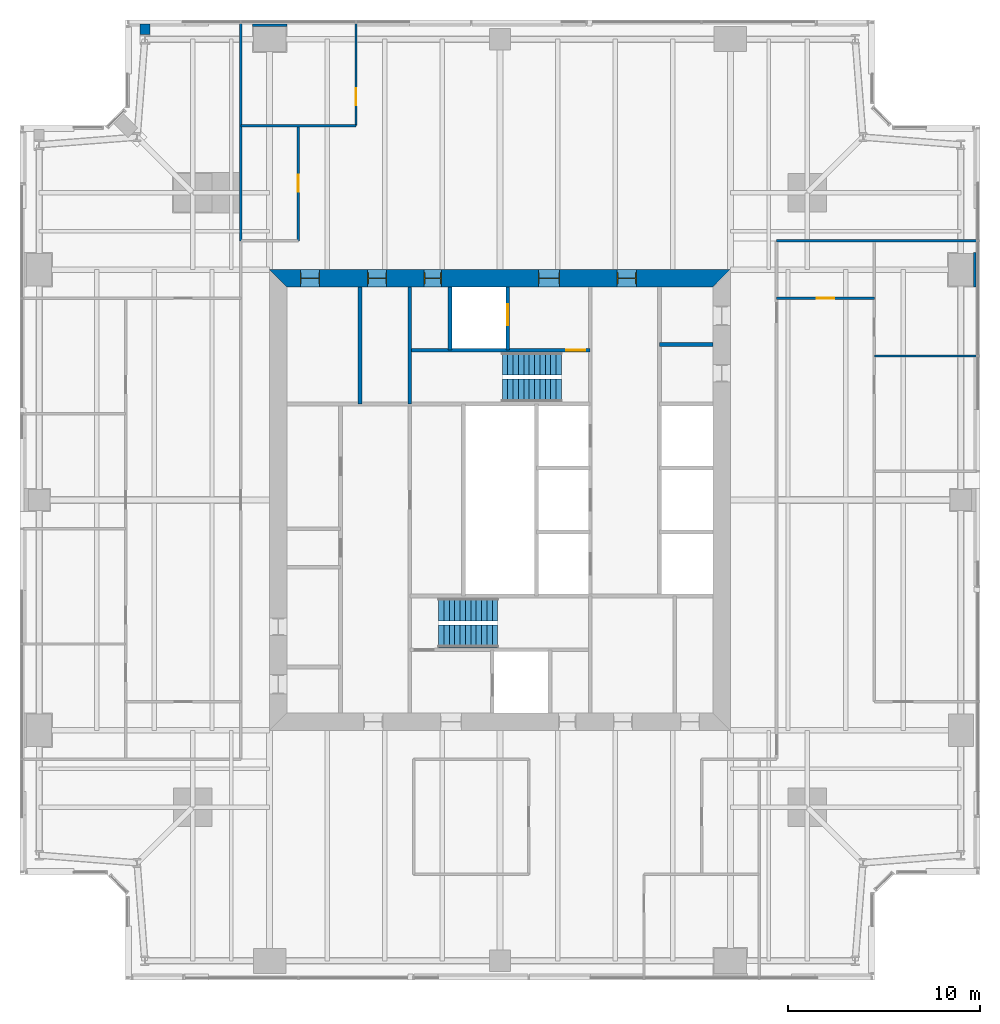
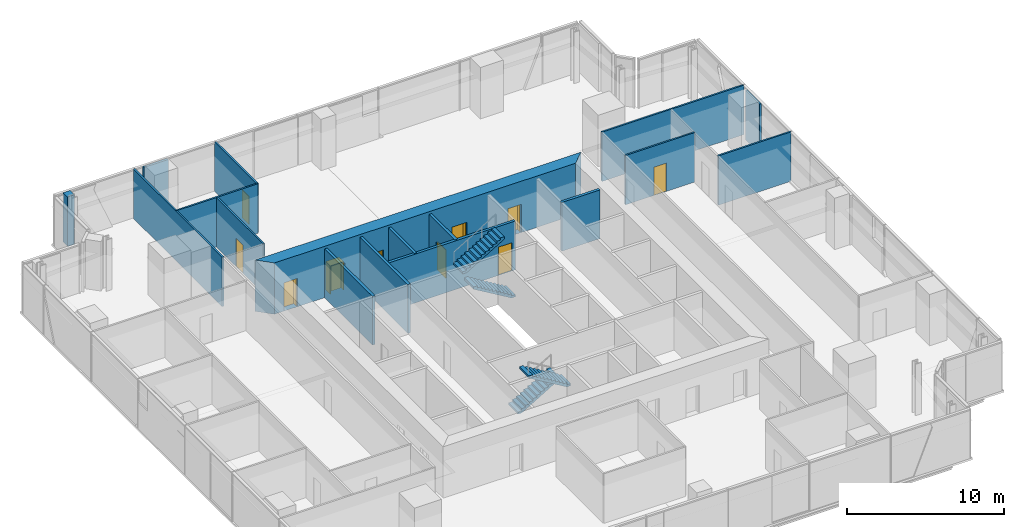
# One storey, part 11 of 16: 17 walls, 10 doors, 4 stair flights, 10 openings, 2 elements without a shape of their own.
"""IFC4 building model written with IfcOpenShell, lengths in metres."""

from ifc_helpers import new_model, si_unit, direction, frame, frame_2d, origin, place, context, subcontext, project, spatial, polyline, rectangle, outline, extrude, material, layer, layer_set, type_object, element, fill, aggregate, save


model = new_model("IFC4")

# Units and contexts
model_context = context("Model", 3, precision=1e-05, world=origin(), true_north=direction((0.0, 1.0)))
body_context = subcontext(model_context, "Body", "Model", "MODEL_VIEW")
ifc_project = project(units=[si_unit("LENGTHUNIT", "METRE"), si_unit("AREAUNIT", "SQUARE_METRE"), si_unit("VOLUMEUNIT", "CUBIC_METRE"), si_unit("PLANEANGLEUNIT", "RADIAN"), si_unit("MASSUNIT", "GRAM", prefix="KILO")], contexts=[model_context])

# Site, building, storey
site_placement = place(None, origin())
site = spatial("IfcSite", under=ifc_project, at=site_placement, CompositionType="ELEMENT")
building_placement = place(site_placement, origin())
building = spatial("IfcBuilding", under=site, at=building_placement, Name="Fenwick Lantern Interchange", CompositionType="ELEMENT")
storey_placement = place(building_placement, frame((0.0, 0.0, 213.800048828125)))
storey = spatial("IfcBuildingStorey", under=building, at=storey_placement, Name="L50", CompositionType="ELEMENT", Elevation=213.800048828125)

# Walls
ifc_material_1 = material(Name="Fire-rated gypsum board encasement on steel studs, 2 hour", Category="steel")
ifc_layer_1 = layer(ifc_material_1, 1.800048828125)
ifc_layer_set_1 = layer_set([ifc_layer_1], Name="COLUMN PIER 1800")
wall_type_1 = type_object("IfcWallType", Name="COLUMN PIER 1800", PredefinedType="PARTITIONING", material=ifc_layer_set_1)
for number, where, z_axis, x_axis, name in (
    (1, (49.800048828125, 37.0, 0.0), (0.0, 0.0, 1.0), (-1.0, 0.0, 0.0), "L50/W/PIER/CE4"),
    (2, (13.0, 49.800048828125, 0.0), (0.0, 0.0, 1.0), (0.0, -1.0, 0.0), "L50/W/PIER/CN4"),
):
    element("IfcWall", number, at=place(storey_placement, frame(where, z_axis=z_axis, x_axis=x_axis)), inside=storey, type_object=wall_type_1, Name=name, PredefinedType="PARTITIONING", context=body_context, shape_type="SweptSolid", body=[
        extrude(rectangle(XDim=0.150146484375, YDim=1.800048828125, at=frame_2d((0.0751953125, 0.0))), origin(), (0.0, 0.0, 1.0), 3.849853515625),
    ])
ifc_layer_2 = layer(ifc_material_1, 0.52392578125)
ifc_layer_set_2 = layer_set([ifc_layer_2], Name="COLUMN PIER 524")
wall_type_2 = type_object("IfcWallType", Name="COLUMN PIER 524", PredefinedType="PARTITIONING", material=ifc_layer_set_2)
wall_1_placement = place(storey_placement, frame((6.5, 49.800048828125, 0.0), z_axis=(0.0, 0.0, 1.0), x_axis=(0.0, -1.0, 0.0)))
element("IfcWall", 3, at=wall_1_placement, inside=storey, type_object=wall_type_2, Name="L50/W/PIER/CN5", PredefinedType="PARTITIONING", context=body_context, shape_type="SweptSolid", body=[
    extrude(rectangle(XDim=0.5625, YDim=0.52392578125, at=frame_2d((0.28125, 0.0))), origin(), (0.0, 0.0, 1.0), 3.849853515625),
])

# Wall, opening, door
ifc_material_2 = material(Name="Concrete masonry ASTM C90 Grade N", Category="masonry")
ifc_layer_3 = layer(ifc_material_2, 0.199951171875)
ifc_layer_set_3 = layer_set([ifc_layer_3], Name="Concrete masonry ASTM C90 Grade N")
wall_type_3 = type_object("IfcWallType", Name="CORE PARTITION 200", PredefinedType="PARTITIONING", material=ifc_layer_set_3)
wall_2_placement = place(storey_placement, frame((25.39990234375, 36.10009765625, 0.0), z_axis=(0.0, 0.0, 1.0), x_axis=(0.0, -1.0, 0.0)))
wall_2 = element("IfcWall", 4, at=wall_2_placement, inside=storey, type_object=wall_type_3, Name="L50/W/COREN/h1", PredefinedType="PARTITIONING", context=body_context, shape_type="SweptSolid", body=[
    extrude(rectangle(XDim=3.300048828125, YDim=0.199951171875, at=frame_2d((1.64990234375, 0.0))), origin(), (0.0, 0.0, 1.0), 3.800048828125),
])
opening_1_placement = place(wall_2_placement, frame((0.89990234375, 0.0, 0.0)))
opening_1 = element("IfcOpeningElement", 5, at=opening_1_placement, cuts=wall_2, Name="Opening LD-FL2", PredefinedType="OPENING", context=body_context, shape_type="SweptSolid", body=[
    extrude(rectangle(XDim=1.10009765625, YDim=2.199951171875, at=frame_2d((0.550048828125, 1.10009765625))), frame((0.0, 0.10986328125, 0.0), z_axis=(0.0, -1.0, 0.0), x_axis=(1.0, 0.0, 0.0)), (0.0, 0.0, 1.0), 0.219970703125),
])
ifc_material_3 = material(Name="Steel door and frame", Category="steel")
door_type_1 = type_object("IfcDoorType", Name="LIFT LANDING DOOR 1100 X 2200", OperationType="DOUBLE_DOOR_SLIDING", PredefinedType="DOOR", material=ifc_material_3)
door_1_placement = place(opening_1_placement, origin())
door_1 = element("IfcDoor", 6, at=door_1_placement, inside=storey, type_object=door_type_1, Name="Lift landing door FL2", OperationType="DOUBLE_DOOR_SLIDING", OverallHeight=2.199951171875, OverallWidth=1.10009765625, PredefinedType="DOOR", context=body_context, shape_type="SweptSolid", body=[
    extrude(rectangle(XDim=1.10009765625, YDim=2.199951171875, at=frame_2d((0.550048828125, 1.10009765625))), frame((0.0, 0.02490234375, 0.0), z_axis=(0.0, -1.0, 0.0), x_axis=(1.0, 0.0, 0.0)), (0.0, 0.0, 1.0), 0.050048828125),
])
fill(opening_1, door_1)

# Walls
wall_3_placement = place(storey_placement, frame((22.39990234375, 36.10009765625, 0.0), z_axis=(0.0, 0.0, 1.0), x_axis=(0.0, -1.0, 0.0)))
element("IfcWall", 7, at=wall_3_placement, inside=storey, type_object=wall_type_3, Name="L50/W/COREN/h2", PredefinedType="PARTITIONING", context=body_context, shape_type="SweptSolid", body=[
    extrude(rectangle(XDim=3.300048828125, YDim=0.199951171875, at=frame_2d((1.64990234375, 0.0))), origin(), (0.0, 0.0, 1.0), 3.800048828125),
])
wall_4_placement = place(storey_placement, frame((17.699951171875, 36.10009765625, 0.0), z_axis=(0.0, 0.0, 1.0), x_axis=(0.0, -1.0, 0.0)))
element("IfcWall", 8, at=wall_4_placement, inside=storey, type_object=wall_type_3, Name="L50/W/COREN/i2", PredefinedType="PARTITIONING", context=body_context, shape_type="SweptSolid", body=[
    extrude(rectangle(XDim=6.10009765625, YDim=0.199951171875, at=frame_2d((3.050048828125, 0.0))), origin(), (0.0, 0.0, 1.0), 3.800048828125),
])
wall_5_placement = place(storey_placement, frame((36.10009765625, 33.10009765625, 0.0), z_axis=(0.0, 0.0, 1.0), x_axis=(-1.0, 0.0, 0.0)))
element("IfcWall", 9, at=wall_5_placement, inside=storey, type_object=wall_type_3, Name="L50/W/COREN/p1", PredefinedType="PARTITIONING", context=body_context, shape_type="SweptSolid", body=[
    extrude(rectangle(XDim=2.800048828125, YDim=0.199951171875, at=frame_2d((1.39990234375, 0.0))), origin(), (0.0, 0.0, 1.0), 3.800048828125),
])

# Wall, openings, doors
ifc_material_4 = material(Name="Concrete f'c 70 MPa", Category="concrete")
ifc_layer_4 = layer(ifc_material_4, 0.89990234375)
ifc_layer_set_4 = layer_set([ifc_layer_4], Name="CORE WALL 900")
wall_type_4 = type_object("IfcWallType", Name="CORE WALL 900", PredefinedType="SHEAR", material=ifc_layer_set_4)
wall_6_placement = place(storey_placement, frame((37.0, 36.550048828125, 0.0), z_axis=(0.0, 0.0, 1.0), x_axis=(-1.0, 0.0, 0.0)))
wall_6 = element("IfcWall", 10, at=wall_6_placement, inside=storey, type_object=wall_type_4, Name="L50/CORE/N", PredefinedType="SHEAR", context=body_context, shape_type="SweptSolid", body=[
    extrude(outline(polyline([(0.0, -0.449951171875), (24.0, -0.449951171875), (23.10009765625, 0.449951171875), (0.89990234375, 0.449951171875), (0.0, -0.449951171875)])), origin(), (0.0, 0.0, 1.0), 4.0),
])
opening_2_placement = place(wall_6_placement, frame((4.89990234375, 0.0, 0.0)))
opening_2 = element("IfcOpeningElement", 11, at=opening_2_placement, cuts=wall_6, Name="Opening L50-D012", PredefinedType="OPENING", context=body_context, shape_type="SweptSolid", body=[
    extrude(rectangle(XDim=1.0, YDim=2.199951171875, at=frame_2d((0.5, 1.10009765625))), frame((0.0, 0.4599609375, 0.0), z_axis=(0.0, -1.0, 0.0), x_axis=(1.0, 0.0, 0.0)), (0.0, 0.0, 1.0), 0.919921875),
])
opening_3_placement = place(wall_6_placement, frame((8.89990234375, 0.0, 0.0)))
opening_3 = element("IfcOpeningElement", 12, at=opening_3_placement, cuts=wall_6, Name="Opening L50-D013", PredefinedType="OPENING", context=body_context, shape_type="SweptSolid", body=[
    extrude(rectangle(XDim=1.10009765625, YDim=2.199951171875, at=frame_2d((0.550048828125, 1.10009765625))), frame((0.0, 0.4599609375, 0.0), z_axis=(0.0, -1.0, 0.0), x_axis=(1.0, 0.0, 0.0)), (0.0, 0.0, 1.0), 0.919921875),
])
opening_4_placement = place(wall_6_placement, frame((15.050048828125, 0.0, 0.0)))
opening_4 = element("IfcOpeningElement", 13, at=opening_4_placement, cuts=wall_6, Name="Opening L50-D015", PredefinedType="OPENING", context=body_context, shape_type="SweptSolid", body=[
    extrude(rectangle(XDim=0.89990234375, YDim=2.199951171875, at=frame_2d((0.449951171875, 1.10009765625))), frame((0.0, 0.4599609375, 0.0), z_axis=(0.0, -1.0, 0.0), x_axis=(1.0, 0.0, 0.0)), (0.0, 0.0, 1.0), 0.919921875),
])
opening_5_placement = place(wall_6_placement, frame((17.89990234375, 0.0, 0.0)))
opening_5 = element("IfcOpeningElement", 14, at=opening_5_placement, cuts=wall_6, Name="Opening L50-D016", PredefinedType="OPENING", context=body_context, shape_type="SweptSolid", body=[
    extrude(rectangle(XDim=1.0, YDim=2.199951171875, at=frame_2d((0.5, 1.10009765625))), frame((0.0, 0.4599609375, 0.0), z_axis=(0.0, -1.0, 0.0), x_axis=(1.0, 0.0, 0.0)), (0.0, 0.0, 1.0), 0.919921875),
])
opening_6_placement = place(wall_6_placement, frame((21.39990234375, 0.0, 0.0)))
opening_6 = element("IfcOpeningElement", 15, at=opening_6_placement, cuts=wall_6, Name="Opening L50-D017", PredefinedType="OPENING", context=body_context, shape_type="SweptSolid", body=[
    extrude(rectangle(XDim=1.0, YDim=2.199951171875, at=frame_2d((0.5, 1.10009765625))), frame((0.0, 0.4599609375, 0.0), z_axis=(0.0, -1.0, 0.0), x_axis=(1.0, 0.0, 0.0)), (0.0, 0.0, 1.0), 0.919921875),
])
door_type_2 = type_object("IfcDoorType", Name="CORE LOBBY DOOR 1000 X 2200", OperationType="SINGLE_SWING_LEFT", PredefinedType="DOOR", material=ifc_material_3)
door_2_placement = place(opening_2_placement, frame((1.0, 0.0, 0.0), z_axis=(0.0, 0.0, 1.0), x_axis=(-1.0, 0.0, 0.0)))
door_2 = element("IfcDoor", 16, at=door_2_placement, inside=storey, type_object=door_type_2, Name="Core lobby door", OperationType="SINGLE_SWING_RIGHT", OverallHeight=2.199951171875, OverallWidth=1.0, PredefinedType="DOOR", context=body_context, shape_type="SweptSolid", body=[
    extrude(rectangle(XDim=1.0, YDim=2.199951171875, at=frame_2d((0.5, 1.10009765625))), frame((0.0, 0.02490234375, 0.0), z_axis=(0.0, -1.0, 0.0), x_axis=(1.0, 0.0, 0.0)), (0.0, 0.0, 1.0), 0.050048828125),
    extrude(outline(polyline([(0.0, 0.0), (0.0400390625, 0.0), (0.0400390625, 2.159912109375), (0.9599609375, 2.159912109375), (0.9599609375, 0.0), (1.0, 0.0), (1.0, 2.199951171875), (0.0, 2.199951171875), (0.0, 0.0)])), frame((0.0, 0.300048828125, 0.0), z_axis=(0.0, -1.0, 0.0), x_axis=(1.0, 0.0, 0.0)), (0.0, 0.0, 1.0), 0.60009765625),
])
fill(opening_2, door_2)
door_type_3 = type_object("IfcDoorType", Name="FIRE LOBBY DOOR 1100 X 2200", OperationType="SINGLE_SWING_LEFT", PredefinedType="DOOR", material=ifc_material_3)
door_3_placement = place(opening_3_placement, origin())
door_3 = element("IfcDoor", 17, at=door_3_placement, inside=storey, type_object=door_type_3, Name="Fire lobby door", OperationType="SINGLE_SWING_LEFT", OverallHeight=2.199951171875, OverallWidth=1.10009765625, PredefinedType="DOOR", context=body_context, shape_type="SweptSolid", body=[
    extrude(rectangle(XDim=1.10009765625, YDim=2.199951171875, at=frame_2d((0.550048828125, 1.10009765625))), frame((0.0, 0.02490234375, 0.0), z_axis=(0.0, -1.0, 0.0), x_axis=(1.0, 0.0, 0.0)), (0.0, 0.0, 1.0), 0.050048828125),
    extrude(outline(polyline([(0.0, 0.0), (0.0400390625, 0.0), (0.0400390625, 2.159912109375), (1.06005859375, 2.159912109375), (1.06005859375, 0.0), (1.10009765625, 0.0), (1.10009765625, 2.199951171875), (0.0, 2.199951171875), (0.0, 0.0)])), frame((0.0, 0.300048828125, 0.0), z_axis=(0.0, -1.0, 0.0), x_axis=(1.0, 0.0, 0.0)), (0.0, 0.0, 1.0), 0.60009765625),
])
fill(opening_3, door_3)
door_type_4 = type_object("IfcDoorType", Name="SERVICE DOOR 900 X 2200", OperationType="SINGLE_SWING_LEFT", PredefinedType="DOOR", material=ifc_material_3)
door_4_placement = place(opening_4_placement, origin())
door_4 = element("IfcDoor", 18, at=door_4_placement, inside=storey, type_object=door_type_4, Name="Service door", OperationType="SINGLE_SWING_LEFT", OverallHeight=2.199951171875, OverallWidth=0.89990234375, PredefinedType="DOOR", context=body_context, shape_type="SweptSolid", body=[
    extrude(rectangle(XDim=0.89990234375, YDim=2.199951171875, at=frame_2d((0.449951171875, 1.10009765625))), frame((0.0, 0.02490234375, 0.0), z_axis=(0.0, -1.0, 0.0), x_axis=(1.0, 0.0, 0.0)), (0.0, 0.0, 1.0), 0.050048828125),
    extrude(outline(polyline([(0.0, 0.0), (0.0400390625, 0.0), (0.0400390625, 2.159912109375), (0.85986328125, 2.159912109375), (0.85986328125, 0.0), (0.89990234375, 0.0), (0.89990234375, 2.199951171875), (0.0, 2.199951171875), (0.0, 0.0)])), frame((0.0, 0.300048828125, 0.0), z_axis=(0.0, -1.0, 0.0), x_axis=(1.0, 0.0, 0.0)), (0.0, 0.0, 1.0), 0.60009765625),
])
fill(opening_4, door_4)
ifc_material_5 = material(Name="Hardwood door and steel frame", Category="steel")
door_type_5 = type_object("IfcDoorType", Name="WC DOOR 1000 X 2200", OperationType="SINGLE_SWING_LEFT", PredefinedType="DOOR", material=ifc_material_5)
door_5_placement = place(opening_5_placement, origin())
door_5 = element("IfcDoor", 19, at=door_5_placement, inside=storey, type_object=door_type_5, Name="Wc door", OperationType="SINGLE_SWING_RIGHT", OverallHeight=2.199951171875, OverallWidth=1.0, PredefinedType="DOOR", context=body_context, shape_type="SweptSolid", body=[
    extrude(rectangle(XDim=1.0, YDim=2.199951171875, at=frame_2d((0.5, 1.10009765625))), frame((0.0, 0.02490234375, 0.0), z_axis=(0.0, -1.0, 0.0), x_axis=(1.0, 0.0, 0.0)), (0.0, 0.0, 1.0), 0.050048828125),
    extrude(outline(polyline([(0.0, 0.0), (0.0400390625, 0.0), (0.0400390625, 2.159912109375), (0.9599609375, 2.159912109375), (0.9599609375, 0.0), (1.0, 0.0), (1.0, 2.199951171875), (0.0, 2.199951171875), (0.0, 0.0)])), frame((0.0, 0.300048828125, 0.0), z_axis=(0.0, -1.0, 0.0), x_axis=(1.0, 0.0, 0.0)), (0.0, 0.0, 1.0), 0.60009765625),
])
fill(opening_5, door_5)
door_6_placement = place(opening_6_placement, origin())
door_6 = element("IfcDoor", 20, at=door_6_placement, inside=storey, type_object=door_type_5, Name="Wc door", OperationType="SINGLE_SWING_RIGHT", OverallHeight=2.199951171875, OverallWidth=1.0, PredefinedType="DOOR", context=body_context, shape_type="SweptSolid", body=[
    extrude(rectangle(XDim=1.0, YDim=2.199951171875, at=frame_2d((0.5, 1.10009765625))), frame((0.0, 0.02490234375, 0.0), z_axis=(0.0, -1.0, 0.0), x_axis=(1.0, 0.0, 0.0)), (0.0, 0.0, 1.0), 0.050048828125),
    extrude(outline(polyline([(0.0, 0.0), (0.0400390625, 0.0), (0.0400390625, 2.159912109375), (0.9599609375, 2.159912109375), (0.9599609375, 0.0), (1.0, 0.0), (1.0, 2.199951171875), (0.0, 2.199951171875), (0.0, 0.0)])), frame((0.0, 0.300048828125, 0.0), z_axis=(0.0, -1.0, 0.0), x_axis=(1.0, 0.0, 0.0)), (0.0, 0.0, 1.0), 0.60009765625),
])
fill(opening_6, door_6)

# Wall
ifc_material_6 = material(Name="Gypsum board on steel studs, acoustic", Category="steel")
ifc_layer_5 = layer(ifc_material_6, 0.125)
ifc_layer_set_5 = layer_set([ifc_layer_5], Name="OFFICE PARTITION 125")
wall_type_5 = type_object("IfcWallType", Name="OFFICE PARTITION 125", PredefinedType="PARTITIONING", material=ifc_layer_set_5)
wall_7_placement = place(storey_placement, frame((49.85009765625, 32.5, 0.0), z_axis=(0.0, 0.0, 1.0), x_axis=(-1.0, 0.0, 0.0)))
element("IfcWall", 21, at=wall_7_placement, inside=storey, type_object=wall_type_5, Name="L50/W/OFF/E/X325-1", PredefinedType="PARTITIONING", context=body_context, shape_type="SweptSolid", body=[
    extrude(rectangle(XDim=5.35009765625, YDim=0.125, at=frame_2d((2.675048828125, 0.0))), origin(), (0.0, 0.0, 1.0), 3.849853515625),
])

# Wall, opening, door
wall_8_placement = place(storey_placement, frame((44.5, 35.5, 0.0), z_axis=(0.0, 0.0, 1.0), x_axis=(-1.0, 0.0, 0.0)))
wall_8 = element("IfcWall", 22, at=wall_8_placement, inside=storey, type_object=wall_type_5, Name="L50/W/OFF/E/X355-1", PredefinedType="PARTITIONING", context=body_context, shape_type="SweptSolid", body=[
    extrude(rectangle(XDim=5.10009765625, YDim=0.125, at=frame_2d((2.550048828125, 0.0))), origin(), (0.0, 0.0, 1.0), 3.849853515625),
])
opening_7_placement = place(wall_8_placement, frame((2.10009765625, 0.0, 0.0)))
opening_7 = element("IfcOpeningElement", 23, at=opening_7_placement, cuts=wall_8, Name="Opening L50-D028", PredefinedType="OPENING", context=body_context, shape_type="SweptSolid", body=[
    extrude(rectangle(XDim=0.89990234375, YDim=2.199951171875, at=frame_2d((0.449951171875, 1.10009765625))), frame((0.0, 0.072509765625, 0.0), z_axis=(0.0, -1.0, 0.0), x_axis=(1.0, 0.0, 0.0)), (0.0, 0.0, 1.0), 0.14501953125),
])
door_type_6 = type_object("IfcDoorType", Name="OFFICE DOOR 900 X 2200", OperationType="SINGLE_SWING_LEFT", PredefinedType="DOOR", material=ifc_material_5)
door_7_placement = place(opening_7_placement, frame((0.89990234375, 0.0, 0.0), z_axis=(0.0, 0.0, 1.0), x_axis=(-1.0, 0.0, 0.0)))
door_7 = element("IfcDoor", 24, at=door_7_placement, inside=storey, type_object=door_type_6, Name="Office door", OperationType="SINGLE_SWING_RIGHT", OverallHeight=2.199951171875, OverallWidth=0.89990234375, PredefinedType="DOOR", context=body_context, shape_type="SweptSolid", body=[
    extrude(rectangle(XDim=0.89990234375, YDim=2.199951171875, at=frame_2d((0.449951171875, 1.10009765625))), frame((0.0, 0.02490234375, 0.0), z_axis=(0.0, -1.0, 0.0), x_axis=(1.0, 0.0, 0.0)), (0.0, 0.0, 1.0), 0.050048828125),
])
fill(opening_7, door_7)

# Wall
wall_9_placement = place(storey_placement, frame((49.85009765625, 38.5, 0.0), z_axis=(0.0, 0.0, 1.0), x_axis=(-1.0, 0.0, 0.0)))
element("IfcWall", 25, at=wall_9_placement, inside=storey, type_object=wall_type_5, Name="L50/W/OFF/N/BACK", PredefinedType="PARTITIONING", context=body_context, shape_type="SweptSolid", body=[
    extrude(rectangle(XDim=10.4501953125, YDim=0.125, at=frame_2d((5.22509765625, 0.0))), origin(), (0.0, 0.0, 1.0), 3.849853515625),
])

# Wall, opening, door
wall_10_placement = place(storey_placement, frame((17.5, 49.85009765625, 0.0), z_axis=(0.0, 0.0, 1.0), x_axis=(0.0, -1.0, 0.0)))
wall_10 = element("IfcWall", 26, at=wall_10_placement, inside=storey, type_object=wall_type_5, Name="L50/W/OFF/N/X325-1", PredefinedType="PARTITIONING", context=body_context, shape_type="SweptSolid", body=[
    extrude(rectangle(XDim=5.35009765625, YDim=0.125, at=frame_2d((2.675048828125, 0.0))), origin(), (0.0, 0.0, 1.0), 3.849853515625),
])
opening_8_placement = place(wall_10_placement, frame((3.39990234375, 0.0, 0.0)))
opening_8 = element("IfcOpeningElement", 27, at=opening_8_placement, cuts=wall_10, Name="Opening L50-D029", PredefinedType="OPENING", context=body_context, shape_type="SweptSolid", body=[
    extrude(rectangle(XDim=0.89990234375, YDim=2.199951171875, at=frame_2d((0.449951171875, 1.10009765625))), frame((0.0, 0.072509765625, 0.0), z_axis=(0.0, -1.0, 0.0), x_axis=(1.0, 0.0, 0.0)), (0.0, 0.0, 1.0), 0.14501953125),
])
door_8_placement = place(opening_8_placement, frame((0.89990234375, 0.0, 0.0), z_axis=(0.0, 0.0, 1.0), x_axis=(-1.0, 0.0, 0.0)))
door_8 = element("IfcDoor", 28, at=door_8_placement, inside=storey, type_object=door_type_6, Name="Office door", OperationType="SINGLE_SWING_LEFT", OverallHeight=2.199951171875, OverallWidth=0.89990234375, PredefinedType="DOOR", context=body_context, shape_type="SweptSolid", body=[
    extrude(rectangle(XDim=0.89990234375, YDim=2.199951171875, at=frame_2d((0.449951171875, 1.10009765625))), frame((0.0, 0.02490234375, 0.0), z_axis=(0.0, -1.0, 0.0), x_axis=(1.0, 0.0, 0.0)), (0.0, 0.0, 1.0), 0.050048828125),
])
fill(opening_8, door_8)

wall_11_placement = place(storey_placement, frame((14.5, 44.5, 0.0), z_axis=(0.0, 0.0, 1.0), x_axis=(0.0, -1.0, 0.0)))
wall_11 = element("IfcWall", 29, at=wall_11_placement, inside=storey, type_object=wall_type_5, Name="L50/W/OFF/N/X355-1", PredefinedType="PARTITIONING", context=body_context, shape_type="SweptSolid", body=[
    extrude(rectangle(XDim=6.0, YDim=0.125, at=frame_2d((3.0, 0.0))), origin(), (0.0, 0.0, 1.0), 3.849853515625),
])
opening_9_placement = place(wall_11_placement, frame((2.550048828125, 0.0, 0.0)))
opening_9 = element("IfcOpeningElement", 30, at=opening_9_placement, cuts=wall_11, Name="Opening L50-D030", PredefinedType="OPENING", context=body_context, shape_type="SweptSolid", body=[
    extrude(rectangle(XDim=0.89990234375, YDim=2.199951171875, at=frame_2d((0.449951171875, 1.10009765625))), frame((0.0, 0.072509765625, 0.0), z_axis=(0.0, -1.0, 0.0), x_axis=(1.0, 0.0, 0.0)), (0.0, 0.0, 1.0), 0.14501953125),
])
door_9_placement = place(opening_9_placement, frame((0.89990234375, 0.0, 0.0), z_axis=(0.0, 0.0, 1.0), x_axis=(-1.0, 0.0, 0.0)))
door_9 = element("IfcDoor", 31, at=door_9_placement, inside=storey, type_object=door_type_6, Name="Office door", OperationType="SINGLE_SWING_RIGHT", OverallHeight=2.199951171875, OverallWidth=0.89990234375, PredefinedType="DOOR", context=body_context, shape_type="SweptSolid", body=[
    extrude(rectangle(XDim=0.89990234375, YDim=2.199951171875, at=frame_2d((0.449951171875, 1.10009765625))), frame((0.0, 0.02490234375, 0.0), z_axis=(0.0, -1.0, 0.0), x_axis=(1.0, 0.0, 0.0)), (0.0, 0.0, 1.0), 0.050048828125),
])
fill(opening_9, door_9)

# Walls
wall_12_placement = place(storey_placement, frame((17.5, 44.5, 0.0), z_axis=(0.0, 0.0, 1.0), x_axis=(-1.0, 0.0, 0.0)))
element("IfcWall", 32, at=wall_12_placement, inside=storey, type_object=wall_type_5, Name="L50/W/OFF/N/Y55-1", PredefinedType="PARTITIONING", context=body_context, shape_type="SweptSolid", body=[
    extrude(rectangle(XDim=6.0, YDim=0.125, at=frame_2d((3.0, 0.0))), origin(), (0.0, 0.0, 1.0), 3.849853515625),
])
wall_13_placement = place(storey_placement, frame((11.5, 49.85009765625, 0.0), z_axis=(0.0, 0.0, 1.0), x_axis=(0.0, -1.0, 0.0)))
element("IfcWall", 33, at=wall_13_placement, inside=storey, type_object=wall_type_5, Name="L50/W/OFF/W/BACK", PredefinedType="PARTITIONING", context=body_context, shape_type="SweptSolid", body=[
    extrude(rectangle(XDim=11.35009765625, YDim=0.125, at=frame_2d((5.675048828125, 0.0))), origin(), (0.0, 0.0, 1.0), 3.849853515625),
])

# Wall, opening, door
ifc_material_7 = material(Name="Concrete f'c 45 MPa", Category="concrete")
ifc_layer_6 = layer(ifc_material_7, 0.199951171875)
ifc_layer_set_6 = layer_set([ifc_layer_6], Name="STAIR CORE WALL 200")
wall_type_6 = type_object("IfcWallType", Name="STAIR CORE WALL 200", PredefinedType="SOLIDWALL", material=ifc_layer_set_6)
wall_14_placement = place(storey_placement, frame((29.699951171875, 32.800048828125, 0.0), z_axis=(0.0, 0.0, 1.0), x_axis=(-1.0, 0.0, 0.0)))
wall_14 = element("IfcWall", 34, at=wall_14_placement, inside=storey, type_object=wall_type_6, Name="L50/W/COREN/g1", PredefinedType="SOLIDWALL", context=body_context, shape_type="SweptSolid", body=[
    extrude(rectangle(XDim=9.39990234375, YDim=0.199951171875, at=frame_2d((4.699951171875, 0.0))), origin(), (0.0, 0.0, 1.0), 3.800048828125),
])
opening_10_placement = place(wall_14_placement, frame((0.25, 0.0, 0.0)))
opening_10 = element("IfcOpeningElement", 35, at=opening_10_placement, cuts=wall_14, Name="Opening L50-D014", PredefinedType="OPENING", context=body_context, shape_type="SweptSolid", body=[
    extrude(rectangle(XDim=1.0, YDim=2.199951171875, at=frame_2d((0.5, 1.10009765625))), frame((0.0, 0.10986328125, 0.0), z_axis=(0.0, -1.0, 0.0), x_axis=(1.0, 0.0, 0.0)), (0.0, 0.0, 1.0), 0.219970703125),
])
door_type_7 = type_object("IfcDoorType", Name="STAIR DOOR 1000 X 2200", OperationType="SINGLE_SWING_LEFT", PredefinedType="DOOR", material=ifc_material_3)
door_10_placement = place(opening_10_placement, origin())
door_10 = element("IfcDoor", 36, at=door_10_placement, inside=storey, type_object=door_type_7, Name="Stair door", OperationType="SINGLE_SWING_LEFT", OverallHeight=2.199951171875, OverallWidth=1.0, PredefinedType="DOOR", context=body_context, shape_type="SweptSolid", body=[
    extrude(rectangle(XDim=1.0, YDim=2.199951171875, at=frame_2d((0.5, 1.10009765625))), frame((0.0, 0.02490234375, 0.0), z_axis=(0.0, -1.0, 0.0), x_axis=(1.0, 0.0, 0.0)), (0.0, 0.0, 1.0), 0.050048828125),
])
fill(opening_10, door_10)

# Wall
wall_15_placement = place(storey_placement, frame((20.300048828125, 36.10009765625, 0.0), z_axis=(0.0, 0.0, 1.0), x_axis=(0.0, -1.0, 0.0)))
element("IfcWall", 37, at=wall_15_placement, inside=storey, type_object=wall_type_6, Name="L50/W/COREN/i1", PredefinedType="SOLIDWALL", context=body_context, shape_type="SweptSolid", body=[
    extrude(rectangle(XDim=6.10009765625, YDim=0.199951171875, at=frame_2d((3.050048828125, 0.0))), origin(), (0.0, 0.0, 1.0), 3.800048828125),
])

# Stair, stair flights
ifc_material_8 = material(Name="Precast concrete f'c 35 MPa", Category="concrete")
stair_type = type_object("IfcStairType", Name="EXIT STAIR 1200", PredefinedType="HALF_TURN_STAIR", material=ifc_material_8)
stair_1_placement = place(storey_placement, origin())
stair_1 = element("IfcStair", 38, at=stair_1_placement, inside=storey, type_object=stair_type, Name="Exit stair ST1", PredefinedType="HALF_TURN_STAIR")
stair_flight_type = type_object("IfcStairFlightType", Name="STAIR FLIGHT 1200", PredefinedType="STRAIGHT", material=ifc_material_8)
stair_flight_1_placement = place(storey_placement, frame((21.800048828125, 19.300048828125, 0.0), z_axis=(0.0, 0.0, 1.0), x_axis=(1.0, 0.0, 0.0)))
stair_flight_1 = element("IfcStairFlight", 39, at=stair_flight_1_placement, type_object=stair_flight_type, Name="ST1 flight 1", NumberOfRisers=12, NumberOfTreads=11, PredefinedType="STRAIGHT", RiserHeight=0.166666667, TreadLength=0.28, context=body_context, shape_type="SweptSolid", body=[
    extrude(outline(polyline([(0.0, 0.0), (0.0, 0.166748046875), (0.280029296875, 0.166748046875), (0.280029296875, 0.333251953125), (0.56005859375, 0.333251953125), (0.56005859375, 0.5), (0.840087890625, 0.5), (0.840087890625, 0.666748046875), (1.1201171875, 0.666748046875), (1.1201171875, 0.833251953125), (1.39990234375, 0.833251953125), (1.39990234375, 1.0), (1.679931640625, 1.0), (1.679931640625, 1.166748046875), (1.9599609375, 1.166748046875), (1.9599609375, 1.333251953125), (2.239990234375, 1.333251953125), (2.239990234375, 1.5), (2.52001953125, 1.5), (2.52001953125, 1.666748046875), (2.800048828125, 1.666748046875), (2.800048828125, 1.833251953125), (3.080078125, 1.833251953125), (3.080078125, 2.0), (3.080078125, 1.658935546875), (0.29296875, 0.0), (0.0, 0.0)])), frame((0.0, 0.60009765625, 0.0), z_axis=(0.0, -1.0, 0.0), x_axis=(1.0, 0.0, 0.0)), (0.0, 0.0, 1.0), 1.199951171875),
])
stair_flight_2_placement = place(storey_placement, frame((24.8798828125, 17.89990234375, 2.0), z_axis=(0.0, 0.0, 1.0), x_axis=(-1.0, 0.0, 0.0)))
stair_flight_2 = element("IfcStairFlight", 40, at=stair_flight_2_placement, type_object=stair_flight_type, Name="ST1 flight 2", NumberOfRisers=12, NumberOfTreads=11, PredefinedType="STRAIGHT", RiserHeight=0.166666667, TreadLength=0.28, context=body_context, shape_type="SweptSolid", body=[
    extrude(outline(polyline([(0.0, 0.0), (0.0, 0.166748046875), (0.280029296875, 0.166748046875), (0.280029296875, 0.333251953125), (0.56005859375, 0.333251953125), (0.56005859375, 0.5), (0.840087890625, 0.5), (0.840087890625, 0.666748046875), (1.1201171875, 0.666748046875), (1.1201171875, 0.833251953125), (1.39990234375, 0.833251953125), (1.39990234375, 1.0), (1.679931640625, 1.0), (1.679931640625, 1.166748046875), (1.9599609375, 1.166748046875), (1.9599609375, 1.333251953125), (2.239990234375, 1.333251953125), (2.239990234375, 1.5), (2.52001953125, 1.5), (2.52001953125, 1.666748046875), (2.800048828125, 1.666748046875), (2.800048828125, 1.833251953125), (3.080078125, 1.833251953125), (3.080078125, 2.0), (3.080078125, 1.658935546875), (0.29296875, 0.0), (0.0, 0.0)])), frame((0.0, 0.60009765625, 0.0), z_axis=(0.0, -1.0, 0.0), x_axis=(1.0, 0.0, 0.0)), (0.0, 0.0, 1.0), 1.199951171875),
])
aggregate(stair_1, [stair_flight_1, stair_flight_2])

stair_2_placement = place(storey_placement, origin())
stair_2 = element("IfcStair", 41, at=stair_2_placement, inside=storey, type_object=stair_type, Name="Exit stair ST2", PredefinedType="HALF_TURN_STAIR")
stair_flight_3_placement = place(storey_placement, frame((28.199951171875, 30.699951171875, 0.0), z_axis=(0.0, 0.0, 1.0), x_axis=(-1.0, 0.0, 0.0)))
stair_flight_3 = element("IfcStairFlight", 42, at=stair_flight_3_placement, type_object=stair_flight_type, Name="ST2 flight 1", NumberOfRisers=12, NumberOfTreads=11, PredefinedType="STRAIGHT", RiserHeight=0.166666667, TreadLength=0.28, context=body_context, shape_type="SweptSolid", body=[
    extrude(outline(polyline([(0.0, 0.0), (0.0, 0.166748046875), (0.280029296875, 0.166748046875), (0.280029296875, 0.333251953125), (0.56005859375, 0.333251953125), (0.56005859375, 0.5), (0.840087890625, 0.5), (0.840087890625, 0.666748046875), (1.1201171875, 0.666748046875), (1.1201171875, 0.833251953125), (1.39990234375, 0.833251953125), (1.39990234375, 1.0), (1.679931640625, 1.0), (1.679931640625, 1.166748046875), (1.9599609375, 1.166748046875), (1.9599609375, 1.333251953125), (2.239990234375, 1.333251953125), (2.239990234375, 1.5), (2.52001953125, 1.5), (2.52001953125, 1.666748046875), (2.800048828125, 1.666748046875), (2.800048828125, 1.833251953125), (3.080078125, 1.833251953125), (3.080078125, 2.0), (3.080078125, 1.658935546875), (0.29296875, 0.0), (0.0, 0.0)])), frame((0.0, 0.60009765625, 0.0), z_axis=(0.0, -1.0, 0.0), x_axis=(1.0, 0.0, 0.0)), (0.0, 0.0, 1.0), 1.199951171875),
])
stair_flight_4_placement = place(storey_placement, frame((25.1201171875, 32.10009765625, 2.0), z_axis=(0.0, 0.0, 1.0), x_axis=(1.0, 0.0, 0.0)))
stair_flight_4 = element("IfcStairFlight", 43, at=stair_flight_4_placement, type_object=stair_flight_type, Name="ST2 flight 2", NumberOfRisers=12, NumberOfTreads=11, PredefinedType="STRAIGHT", RiserHeight=0.166666667, TreadLength=0.28, context=body_context, shape_type="SweptSolid", body=[
    extrude(outline(polyline([(0.0, 0.0), (0.0, 0.166748046875), (0.280029296875, 0.166748046875), (0.280029296875, 0.333251953125), (0.56005859375, 0.333251953125), (0.56005859375, 0.5), (0.840087890625, 0.5), (0.840087890625, 0.666748046875), (1.1201171875, 0.666748046875), (1.1201171875, 0.833251953125), (1.39990234375, 0.833251953125), (1.39990234375, 1.0), (1.679931640625, 1.0), (1.679931640625, 1.166748046875), (1.9599609375, 1.166748046875), (1.9599609375, 1.333251953125), (2.239990234375, 1.333251953125), (2.239990234375, 1.5), (2.52001953125, 1.5), (2.52001953125, 1.666748046875), (2.800048828125, 1.666748046875), (2.800048828125, 1.833251953125), (3.080078125, 1.833251953125), (3.080078125, 2.0), (3.080078125, 1.658935546875), (0.29296875, 0.0), (0.0, 0.0)])), frame((0.0, 0.60009765625, 0.0), z_axis=(0.0, -1.0, 0.0), x_axis=(1.0, 0.0, 0.0)), (0.0, 0.0, 1.0), 1.199951171875),
])
aggregate(stair_2, [stair_flight_3, stair_flight_4])

save(model, "model.ifc")
